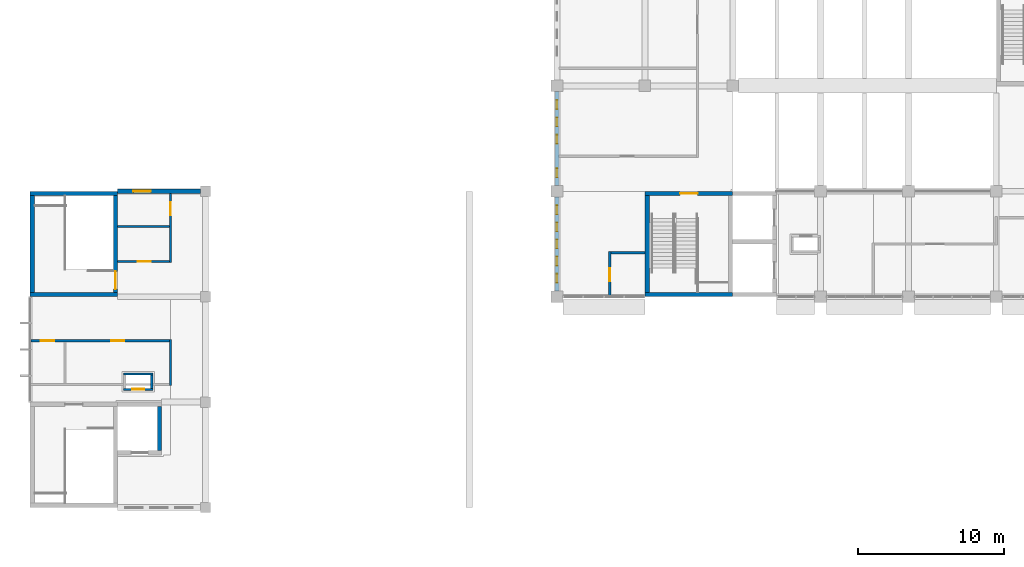
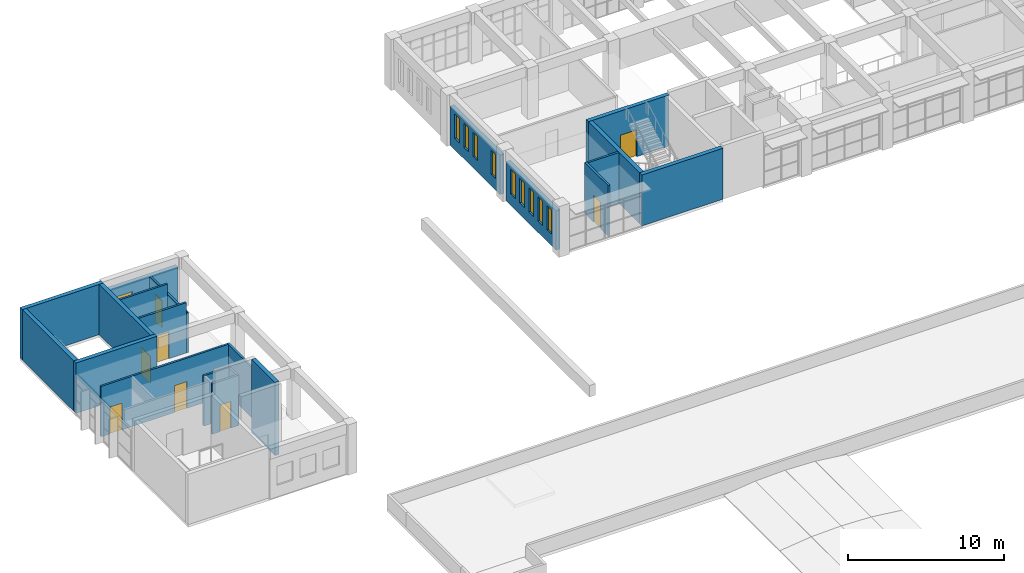
# One storey, part 31 of 47: 21 walls, 10 windows, 8 doors, 18 openings.
"""IFC4 building model written with IfcOpenShell, lengths in metres."""

from ifc_helpers import new_model, si_unit, direction, frame, frame_2d, origin, place, context, subcontext, project, spatial, rectangle, extrude, material, layer, layer_set, type_object, element, fill, save


model = new_model("IFC4")

# Units and contexts
model_context = context("Model", 3, precision=1e-05, world=origin(), true_north=direction((0.0, 1.0)))
body_context = subcontext(model_context, "Body", "Model", "MODEL_VIEW")
ifc_project = project(units=[si_unit("LENGTHUNIT", "METRE"), si_unit("AREAUNIT", "SQUARE_METRE"), si_unit("VOLUMEUNIT", "CUBIC_METRE"), si_unit("PLANEANGLEUNIT", "RADIAN"), si_unit("MASSUNIT", "GRAM", prefix="KILO")], contexts=[model_context])

# Site, building, storey
site_placement = place(None, origin())
site = spatial("IfcSite", under=ifc_project, at=site_placement, CompositionType="ELEMENT")
building_placement = place(site_placement, origin())
building = spatial("IfcBuilding", under=site, at=building_placement, Name="Laocheng Heights Fire and Rescue Headquarters", CompositionType="ELEMENT")
storey_placement = place(building_placement, frame((0.0, 0.0, 16.800048828125)))
storey = spatial("IfcBuildingStorey", under=building, at=storey_placement, Name="L04", CompositionType="ELEMENT", Elevation=16.800048828125)

# Wall, opening, door
ifc_material_1 = material(Name="Gypsum plaster")
ifc_layer_1 = layer(ifc_material_1, 0.010009765625, Name="PLASTER", Category="plaster")
ifc_material_2 = material(Name="Concrete blockwork MU10", Category="masonry")
ifc_layer_2 = layer(ifc_material_2, 0.1298828125, Name="BLOCKWORK", Category="masonry")
ifc_layer_3 = layer(ifc_material_1, 0.010009765625, Name="PLASTER", Category="plaster")
ifc_layer_set_1 = layer_set([ifc_layer_1, ifc_layer_2, ifc_layer_3], Name="Concrete blockwork MU10")
wall_type_1 = type_object("IfcWallType", Name="BLOCKWORK CORRIDOR WALL 150 EI 60 HQ WING", PredefinedType="PARTITIONING", material=ifc_layer_set_1)
wall_1_placement = place(storey_placement, frame((39.60009765625, 50.47509765625, 0.0), z_axis=(0.0, 0.0, 1.0), x_axis=(0.0, 1.0, 0.0)))
wall_1 = element("IfcWall", 1, at=wall_1_placement, inside=storey, type_object=wall_type_1, Name="Partition L04-001", PredefinedType="PARTITIONING", context=body_context, shape_type="SweptSolid", body=[
    extrude(rectangle(XDim=3.0, YDim=0.14990234375, at=frame_2d((1.5, 0.0))), origin(), (0.0, 0.0, 1.0), 4.0),
])
opening_1_placement = place(wall_1_placement, frame((0.97509765625, 0.0, 0.0)))
opening_1 = element("IfcOpeningElement", 2, at=opening_1_placement, cuts=wall_1, Name="Opening L04-Y01", PredefinedType="OPENING", context=body_context, shape_type="SweptSolid", body=[
    extrude(rectangle(XDim=0.89990234375, YDim=2.10009765625, at=frame_2d((0.449951171875, 1.050048828125))), frame((0.0, 0.0849609375, 0.0), z_axis=(0.0, -1.0, 0.0), x_axis=(1.0, 0.0, 0.0)), (0.0, 0.0, 1.0), 0.169921875),
])
ifc_material_3 = material(Name="Timber door leaf, veneered", Category="wood")
door_type_1 = type_object("IfcDoorType", Name="TIMBER DOOR 900x2100 EI 30 HQ WING", OperationType="SINGLE_SWING_LEFT", PredefinedType="DOOR", material=ifc_material_3)
door_1_placement = place(opening_1_placement, frame((0.89990234375, 0.0, 0.0), z_axis=(0.0, 0.0, 1.0), x_axis=(-1.0, 0.0, 0.0)))
door_1 = element("IfcDoor", 3, at=door_1_placement, inside=storey, type_object=door_type_1, Name="Door L04-Y01", OperationType="SINGLE_SWING_LEFT", OverallHeight=2.10009765625, OverallWidth=0.89990234375, PredefinedType="DOOR", context=body_context, shape_type="SweptSolid", body=[
    extrude(rectangle(XDim=0.89990234375, YDim=2.10009765625, at=frame_2d((0.449951171875, 1.050048828125))), frame((0.0, 0.02490234375, 0.0), z_axis=(0.0, -1.0, 0.0), x_axis=(1.0, 0.0, 0.0)), (0.0, 0.0, 1.0), 0.050048828125),
])
fill(opening_1, door_1)

# Walls
wall_2_placement = place(storey_placement, frame((39.675048828125, 53.39990234375, 0.0), z_axis=(0.0, 0.0, 1.0), x_axis=(1.0, 0.0, 0.0)))
element("IfcWall", 4, at=wall_2_placement, inside=storey, type_object=wall_type_1, Name="Partition L04-009", PredefinedType="PARTITIONING", context=body_context, shape_type="SweptSolid", body=[
    extrude(rectangle(XDim=2.324951171875, YDim=0.14990234375, at=frame_2d((1.16259765625, 0.0))), origin(), (0.0, 0.0, 1.0), 4.0),
])
ifc_material_4 = material(Name="Gypsum plaster")
ifc_layer_4 = layer(ifc_material_4, 0.010009765625, Name="PLASTER", Category="plaster")
ifc_material_5 = material(Name="Concrete blockwork MU10", Category="masonry")
ifc_layer_5 = layer(ifc_material_5, 0.1298828125, Name="BLOCKWORK", Category="masonry")
ifc_layer_6 = layer(ifc_material_4, 0.010009765625, Name="PLASTER", Category="plaster")
ifc_layer_set_2 = layer_set([ifc_layer_4, ifc_layer_5, ifc_layer_6], Name="Concrete blockwork MU10")
wall_type_2 = type_object("IfcWallType", Name="BLOCKWORK CORRIDOR WALL 150 EI 60 PAVILION", PredefinedType="PARTITIONING", material=ifc_layer_set_2)
wall_3_placement = place(storey_placement, frame((9.60009765625, 44.324951171875, 0.0), z_axis=(0.0, 0.0, 1.0), x_axis=(0.0, 1.0, 0.0)))
element("IfcWall", 5, at=wall_3_placement, inside=storey, type_object=wall_type_2, Name="Partition L04-002", PredefinedType="PARTITIONING", context=body_context, shape_type="SweptSolid", body=[
    extrude(rectangle(XDim=3.150146484375, YDim=0.14990234375, at=frame_2d((1.5751953125, 0.0))), origin(), (0.0, 0.0, 1.0), 3.949951171875),
])

# Wall, opening, door
wall_4_placement = place(storey_placement, frame((9.60009765625, 52.72509765625, 0.0), z_axis=(0.0, 0.0, 1.0), x_axis=(0.0, 1.0, 0.0)))
wall_4 = element("IfcWall", 6, at=wall_4_placement, inside=storey, type_object=wall_type_2, Name="Partition L04-003", PredefinedType="PARTITIONING", context=body_context, shape_type="SweptSolid", body=[
    extrude(rectangle(XDim=4.724853515625, YDim=0.14990234375, at=frame_2d((2.3623046875, 0.0))), origin(), (0.0, 0.0, 1.0), 3.14990234375),
])
opening_2_placement = place(wall_4_placement, frame((3.22509765625, 0.0, 0.0)))
opening_2 = element("IfcOpeningElement", 7, at=opening_2_placement, cuts=wall_4, Name="Opening L04-P01", PredefinedType="OPENING", context=body_context, shape_type="SweptSolid", body=[
    extrude(rectangle(XDim=0.89990234375, YDim=2.10009765625, at=frame_2d((0.449951171875, 1.050048828125))), frame((0.0, 0.0849609375, 0.0), z_axis=(0.0, -1.0, 0.0), x_axis=(1.0, 0.0, 0.0)), (0.0, 0.0, 1.0), 0.169921875),
])
ifc_material_6 = material(Name="Timber door leaf, veneered", Category="wood")
door_type_2 = type_object("IfcDoorType", Name="TIMBER DOOR 900x2100 EI 30 PAVILION", OperationType="SINGLE_SWING_LEFT", PredefinedType="DOOR", material=ifc_material_6)
door_2_placement = place(opening_2_placement, frame((0.89990234375, 0.0, 0.0), z_axis=(0.0, 0.0, 1.0), x_axis=(-1.0, 0.0, 0.0)))
door_2 = element("IfcDoor", 8, at=door_2_placement, inside=storey, type_object=door_type_2, Name="Door L04-P01", OperationType="SINGLE_SWING_LEFT", OverallHeight=2.10009765625, OverallWidth=0.89990234375, PredefinedType="DOOR", context=body_context, shape_type="SweptSolid", body=[
    extrude(rectangle(XDim=0.89990234375, YDim=2.10009765625, at=frame_2d((0.449951171875, 1.050048828125))), frame((0.0, 0.02490234375, 0.0), z_axis=(0.0, -1.0, 0.0), x_axis=(1.0, 0.0, 0.0)), (0.0, 0.0, 1.0), 0.050048828125),
])
fill(opening_2, door_2)

# Wall, openings, doors
wall_5_placement = place(storey_placement, frame((0.074951171875, 47.39990234375, 0.0), z_axis=(0.0, 0.0, 1.0), x_axis=(1.0, 0.0, 0.0)))
wall_5 = element("IfcWall", 9, at=wall_5_placement, inside=storey, type_object=wall_type_2, Name="Partition L04-005", PredefinedType="PARTITIONING", context=body_context, shape_type="SweptSolid", body=[
    extrude(rectangle(XDim=9.449951171875, YDim=0.14990234375, at=frame_2d((4.72509765625, 0.0))), origin(), (0.0, 0.0, 1.0), 3.949951171875),
])
opening_3_placement = place(wall_5_placement, frame((0.675048828125, 0.0, 0.0)))
opening_3 = element("IfcOpeningElement", 10, at=opening_3_placement, cuts=wall_5, Name="Opening L04-P02", PredefinedType="OPENING", context=body_context, shape_type="SweptSolid", body=[
    extrude(rectangle(XDim=0.89990234375, YDim=2.10009765625, at=frame_2d((0.449951171875, 1.050048828125))), frame((0.0, 0.0849609375, 0.0), z_axis=(0.0, -1.0, 0.0), x_axis=(1.0, 0.0, 0.0)), (0.0, 0.0, 1.0), 0.169921875),
])
opening_4_placement = place(wall_5_placement, frame((5.47509765625, 0.0, 0.0)))
opening_4 = element("IfcOpeningElement", 11, at=opening_4_placement, cuts=wall_5, Name="Opening L04-P03", PredefinedType="OPENING", context=body_context, shape_type="SweptSolid", body=[
    extrude(rectangle(XDim=0.89990234375, YDim=2.10009765625, at=frame_2d((0.449951171875, 1.050048828125))), frame((0.0, 0.0849609375, 0.0), z_axis=(0.0, -1.0, 0.0), x_axis=(1.0, 0.0, 0.0)), (0.0, 0.0, 1.0), 0.169921875),
])
door_3_placement = place(opening_3_placement, frame((0.89990234375, 0.0, 0.0), z_axis=(0.0, 0.0, 1.0), x_axis=(-1.0, 0.0, 0.0)))
door_3 = element("IfcDoor", 12, at=door_3_placement, inside=storey, type_object=door_type_2, Name="Door L04-P02", OperationType="SINGLE_SWING_LEFT", OverallHeight=2.10009765625, OverallWidth=0.89990234375, PredefinedType="DOOR", context=body_context, shape_type="SweptSolid", body=[
    extrude(rectangle(XDim=0.89990234375, YDim=2.10009765625, at=frame_2d((0.449951171875, 1.050048828125))), frame((0.0, 0.02490234375, 0.0), z_axis=(0.0, -1.0, 0.0), x_axis=(1.0, 0.0, 0.0)), (0.0, 0.0, 1.0), 0.050048828125),
])
fill(opening_3, door_3)
door_4_placement = place(opening_4_placement, frame((0.89990234375, 0.0, 0.0), z_axis=(0.0, 0.0, 1.0), x_axis=(-1.0, 0.0, 0.0)))
door_4 = element("IfcDoor", 13, at=door_4_placement, inside=storey, type_object=door_type_2, Name="Door L04-P03", OperationType="SINGLE_SWING_RIGHT", OverallHeight=2.10009765625, OverallWidth=0.89990234375, PredefinedType="DOOR", context=body_context, shape_type="SweptSolid", body=[
    extrude(rectangle(XDim=0.89990234375, YDim=2.10009765625, at=frame_2d((0.449951171875, 1.050048828125))), frame((0.0, 0.02490234375, 0.0), z_axis=(0.0, -1.0, 0.0), x_axis=(1.0, 0.0, 0.0)), (0.0, 0.0, 1.0), 0.050048828125),
])
fill(opening_4, door_4)

# Wall, opening, door
wall_6_placement = place(storey_placement, frame((6.0, 52.800048828125, 0.0), z_axis=(0.0, 0.0, 1.0), x_axis=(1.0, 0.0, 0.0)))
wall_6 = element("IfcWall", 14, at=wall_6_placement, inside=storey, type_object=wall_type_2, Name="Partition L04-006", PredefinedType="PARTITIONING", context=body_context, shape_type="SweptSolid", body=[
    extrude(rectangle(XDim=3.52490234375, YDim=0.14990234375, at=frame_2d((1.762451171875, 0.0))), origin(), (0.0, 0.0, 1.0), 3.949951171875),
])
opening_5_placement = place(wall_6_placement, frame((1.35009765625, 0.0, 0.0)))
opening_5 = element("IfcOpeningElement", 15, at=opening_5_placement, cuts=wall_6, Name="Opening L04-P04", PredefinedType="OPENING", context=body_context, shape_type="SweptSolid", body=[
    extrude(rectangle(XDim=0.89990234375, YDim=2.10009765625, at=frame_2d((0.449951171875, 1.050048828125))), frame((0.0, 0.0849609375, 0.0), z_axis=(0.0, -1.0, 0.0), x_axis=(1.0, 0.0, 0.0)), (0.0, 0.0, 1.0), 0.169921875),
])
door_5_placement = place(opening_5_placement, frame((0.89990234375, 0.0, 0.0), z_axis=(0.0, 0.0, 1.0), x_axis=(-1.0, 0.0, 0.0)))
door_5 = element("IfcDoor", 16, at=door_5_placement, inside=storey, type_object=door_type_2, Name="Door L04-P04", OperationType="SINGLE_SWING_RIGHT", OverallHeight=2.10009765625, OverallWidth=0.89990234375, PredefinedType="DOOR", context=body_context, shape_type="SweptSolid", body=[
    extrude(rectangle(XDim=0.89990234375, YDim=2.10009765625, at=frame_2d((0.449951171875, 1.050048828125))), frame((0.0, 0.02490234375, 0.0), z_axis=(0.0, -1.0, 0.0), x_axis=(1.0, 0.0, 0.0)), (0.0, 0.0, 1.0), 0.050048828125),
])
fill(opening_5, door_5)

# Wall
wall_7_placement = place(storey_placement, frame((6.0, 55.199951171875, 0.0), z_axis=(0.0, 0.0, 1.0), x_axis=(1.0, 0.0, 0.0)))
element("IfcWall", 17, at=wall_7_placement, inside=storey, type_object=wall_type_2, Name="Partition L04-007", PredefinedType="PARTITIONING", context=body_context, shape_type="SweptSolid", body=[
    extrude(rectangle(XDim=3.52490234375, YDim=0.14990234375, at=frame_2d((1.762451171875, 0.0))), origin(), (0.0, 0.0, 1.0), 3.949951171875),
])

# Wall, openings, windows
ifc_material_7 = material(Name="Precast concrete C40/50", Category="concrete")
ifc_layer_7 = layer(ifc_material_7, 0.300048828125)
ifc_layer_set_3 = layer_set([ifc_layer_7], Name="Precast concrete C40/50")
wall_type_3 = type_object("IfcWallType", Name="PRECAST WALL PANEL 300", PredefinedType="SOLIDWALL", material=ifc_layer_set_3)
wall_8_placement = place(storey_placement, frame((36.0, 50.800048828125, 0.0), z_axis=(0.0, 0.0, 1.0), x_axis=(0.0, 1.0, 0.0)))
wall_8 = element("IfcWall", 18, at=wall_8_placement, inside=storey, type_object=wall_type_3, Name="PRECAST WALL PANEL HQ WEST L04", PredefinedType="SOLIDWALL", context=body_context, shape_type="SweptSolid", body=[
    extrude(rectangle(XDim=6.39990234375, YDim=0.300048828125, at=frame_2d((3.199951171875, 0.0))), origin(), (0.0, 0.0, 1.0), 3.099853515625),
])
opening_6_placement = place(wall_8_placement, frame((0.566650390625, 0.0, 0.89990234375)))
opening_6 = element("IfcOpeningElement", 19, at=opening_6_placement, cuts=wall_8, Name="Opening N1-X", PredefinedType="OPENING", context=body_context, shape_type="SweptSolid", body=[
    extrude(rectangle(XDim=0.60009765625, YDim=1.89990234375, at=frame_2d((0.300048828125, 0.949951171875))), frame((0.0, 0.159912109375, 0.0), z_axis=(0.0, -1.0, 0.0), x_axis=(1.0, 0.0, 0.0)), (0.0, 0.0, 1.0), 0.320068359375),
])
opening_7_placement = place(wall_8_placement, frame((1.7333984375, 0.0, 0.89990234375)))
opening_7 = element("IfcOpeningElement", 20, at=opening_7_placement, cuts=wall_8, Name="Opening N1-X", PredefinedType="OPENING", context=body_context, shape_type="SweptSolid", body=[
    extrude(rectangle(XDim=0.60009765625, YDim=1.89990234375, at=frame_2d((0.300048828125, 0.949951171875))), frame((0.0, 0.159912109375, 0.0), z_axis=(0.0, -1.0, 0.0), x_axis=(1.0, 0.0, 0.0)), (0.0, 0.0, 1.0), 0.320068359375),
])
opening_8_placement = place(wall_8_placement, frame((2.89990234375, 0.0, 0.89990234375)))
opening_8 = element("IfcOpeningElement", 21, at=opening_8_placement, cuts=wall_8, Name="Opening N1-X", PredefinedType="OPENING", context=body_context, shape_type="SweptSolid", body=[
    extrude(rectangle(XDim=0.60009765625, YDim=1.89990234375, at=frame_2d((0.300048828125, 0.949951171875))), frame((0.0, 0.159912109375, 0.0), z_axis=(0.0, -1.0, 0.0), x_axis=(1.0, 0.0, 0.0)), (0.0, 0.0, 1.0), 0.320068359375),
])
opening_9_placement = place(wall_8_placement, frame((4.066650390625, 0.0, 0.89990234375)))
opening_9 = element("IfcOpeningElement", 22, at=opening_9_placement, cuts=wall_8, Name="Opening N1-X", PredefinedType="OPENING", context=body_context, shape_type="SweptSolid", body=[
    extrude(rectangle(XDim=0.60009765625, YDim=1.89990234375, at=frame_2d((0.300048828125, 0.949951171875))), frame((0.0, 0.159912109375, 0.0), z_axis=(0.0, -1.0, 0.0), x_axis=(1.0, 0.0, 0.0)), (0.0, 0.0, 1.0), 0.320068359375),
])
opening_10_placement = place(wall_8_placement, frame((5.2333984375, 0.0, 0.89990234375)))
opening_10 = element("IfcOpeningElement", 23, at=opening_10_placement, cuts=wall_8, Name="Opening N1-X", PredefinedType="OPENING", context=body_context, shape_type="SweptSolid", body=[
    extrude(rectangle(XDim=0.60009765625, YDim=1.89990234375, at=frame_2d((0.300048828125, 0.949951171875))), frame((0.0, 0.159912109375, 0.0), z_axis=(0.0, -1.0, 0.0), x_axis=(1.0, 0.0, 0.0)), (0.0, 0.0, 1.0), 0.320068359375),
])
ifc_material_8 = material(Name="Low-e double glazing in aluminium frame", Category="aluminium")
window_type_1 = type_object("IfcWindowType", Name="WINDOW 600 x 1900 HQ END SLOT", PartitioningType="SINGLE_PANEL", PredefinedType="WINDOW", material=ifc_material_8)
window_1_placement = place(opening_6_placement, origin())
window_1 = element("IfcWindow", 24, at=window_1_placement, inside=storey, type_object=window_type_1, Name="HQ END SLOT HQ WEST L04", OverallHeight=1.89990234375, OverallWidth=0.60009765625, PartitioningType="SINGLE_PANEL", PredefinedType="WINDOW", context=body_context, shape_type="SweptSolid", body=[
    extrude(rectangle(XDim=0.60009765625, YDim=1.89990234375, at=frame_2d((0.300048828125, 0.949951171875))), frame((0.0, 0.030029296875, 0.0), z_axis=(0.0, -1.0, 0.0), x_axis=(1.0, 0.0, 0.0)), (0.0, 0.0, 1.0), 0.06005859375),
])
fill(opening_6, window_1)
window_2_placement = place(opening_7_placement, origin())
window_2 = element("IfcWindow", 25, at=window_2_placement, inside=storey, type_object=window_type_1, Name="HQ END SLOT HQ WEST L04", OverallHeight=1.89990234375, OverallWidth=0.60009765625, PartitioningType="SINGLE_PANEL", PredefinedType="WINDOW", context=body_context, shape_type="SweptSolid", body=[
    extrude(rectangle(XDim=0.60009765625, YDim=1.89990234375, at=frame_2d((0.300048828125, 0.949951171875))), frame((0.0, 0.030029296875, 0.0), z_axis=(0.0, -1.0, 0.0), x_axis=(1.0, 0.0, 0.0)), (0.0, 0.0, 1.0), 0.06005859375),
])
fill(opening_7, window_2)
window_3_placement = place(opening_8_placement, origin())
window_3 = element("IfcWindow", 26, at=window_3_placement, inside=storey, type_object=window_type_1, Name="HQ END SLOT HQ WEST L04", OverallHeight=1.89990234375, OverallWidth=0.60009765625, PartitioningType="SINGLE_PANEL", PredefinedType="WINDOW", context=body_context, shape_type="SweptSolid", body=[
    extrude(rectangle(XDim=0.60009765625, YDim=1.89990234375, at=frame_2d((0.300048828125, 0.949951171875))), frame((0.0, 0.030029296875, 0.0), z_axis=(0.0, -1.0, 0.0), x_axis=(1.0, 0.0, 0.0)), (0.0, 0.0, 1.0), 0.06005859375),
])
fill(opening_8, window_3)
window_4_placement = place(opening_9_placement, origin())
window_4 = element("IfcWindow", 27, at=window_4_placement, inside=storey, type_object=window_type_1, Name="HQ END SLOT HQ WEST L04", OverallHeight=1.89990234375, OverallWidth=0.60009765625, PartitioningType="SINGLE_PANEL", PredefinedType="WINDOW", context=body_context, shape_type="SweptSolid", body=[
    extrude(rectangle(XDim=0.60009765625, YDim=1.89990234375, at=frame_2d((0.300048828125, 0.949951171875))), frame((0.0, 0.030029296875, 0.0), z_axis=(0.0, -1.0, 0.0), x_axis=(1.0, 0.0, 0.0)), (0.0, 0.0, 1.0), 0.06005859375),
])
fill(opening_9, window_4)
window_5_placement = place(opening_10_placement, origin())
window_5 = element("IfcWindow", 28, at=window_5_placement, inside=storey, type_object=window_type_1, Name="HQ END SLOT HQ WEST L04", OverallHeight=1.89990234375, OverallWidth=0.60009765625, PartitioningType="SINGLE_PANEL", PredefinedType="WINDOW", context=body_context, shape_type="SweptSolid", body=[
    extrude(rectangle(XDim=0.60009765625, YDim=1.89990234375, at=frame_2d((0.300048828125, 0.949951171875))), frame((0.0, 0.030029296875, 0.0), z_axis=(0.0, -1.0, 0.0), x_axis=(1.0, 0.0, 0.0)), (0.0, 0.0, 1.0), 0.06005859375),
])
fill(opening_10, window_5)

wall_9_placement = place(storey_placement, frame((36.0, 58.0, 0.0), z_axis=(0.0, 0.0, 1.0), x_axis=(0.0, 1.0, 0.0)))
wall_9 = element("IfcWall", 29, at=wall_9_placement, inside=storey, type_object=wall_type_3, Name="PRECAST WALL PANEL HQ WEST L04", PredefinedType="SOLIDWALL", context=body_context, shape_type="SweptSolid", body=[
    extrude(rectangle(XDim=6.39990234375, YDim=0.300048828125, at=frame_2d((3.199951171875, 0.0))), origin(), (0.0, 0.0, 1.0), 3.099853515625),
])
opening_11_placement = place(wall_9_placement, frame((0.56005859375, 0.0, 0.89990234375)))
opening_11 = element("IfcOpeningElement", 30, at=opening_11_placement, cuts=wall_9, Name="Opening N1-X", PredefinedType="OPENING", context=body_context, shape_type="SweptSolid", body=[
    extrude(rectangle(XDim=0.60009765625, YDim=1.89990234375, at=frame_2d((0.300048828125, 0.949951171875))), frame((0.0, 0.159912109375, 0.0), z_axis=(0.0, -1.0, 0.0), x_axis=(1.0, 0.0, 0.0)), (0.0, 0.0, 1.0), 0.320068359375),
])
opening_12_placement = place(wall_9_placement, frame((2.860107421875, 0.0, 0.89990234375)))
opening_12 = element("IfcOpeningElement", 31, at=opening_12_placement, cuts=wall_9, Name="Opening N1-X", PredefinedType="OPENING", context=body_context, shape_type="SweptSolid", body=[
    extrude(rectangle(XDim=0.60009765625, YDim=1.89990234375, at=frame_2d((0.300048828125, 0.949951171875))), frame((0.0, 0.159912109375, 0.0), z_axis=(0.0, -1.0, 0.0), x_axis=(1.0, 0.0, 0.0)), (0.0, 0.0, 1.0), 0.320068359375),
])
opening_13_placement = place(wall_9_placement, frame((4.0400390625, 0.0, 0.89990234375)))
opening_13 = element("IfcOpeningElement", 32, at=opening_13_placement, cuts=wall_9, Name="Opening N1-X", PredefinedType="OPENING", context=body_context, shape_type="SweptSolid", body=[
    extrude(rectangle(XDim=0.60009765625, YDim=1.89990234375, at=frame_2d((0.300048828125, 0.949951171875))), frame((0.0, 0.159912109375, 0.0), z_axis=(0.0, -1.0, 0.0), x_axis=(1.0, 0.0, 0.0)), (0.0, 0.0, 1.0), 0.320068359375),
])
opening_14_placement = place(wall_9_placement, frame((5.219970703125, 0.0, 0.89990234375)))
opening_14 = element("IfcOpeningElement", 33, at=opening_14_placement, cuts=wall_9, Name="Opening N1-X", PredefinedType="OPENING", context=body_context, shape_type="SweptSolid", body=[
    extrude(rectangle(XDim=0.60009765625, YDim=1.89990234375, at=frame_2d((0.300048828125, 0.949951171875))), frame((0.0, 0.159912109375, 0.0), z_axis=(0.0, -1.0, 0.0), x_axis=(1.0, 0.0, 0.0)), (0.0, 0.0, 1.0), 0.320068359375),
])
window_6_placement = place(opening_11_placement, origin())
window_6 = element("IfcWindow", 34, at=window_6_placement, inside=storey, type_object=window_type_1, Name="HQ END SLOT HQ WEST L04", OverallHeight=1.89990234375, OverallWidth=0.60009765625, PartitioningType="SINGLE_PANEL", PredefinedType="WINDOW", context=body_context, shape_type="SweptSolid", body=[
    extrude(rectangle(XDim=0.60009765625, YDim=1.89990234375, at=frame_2d((0.300048828125, 0.949951171875))), frame((0.0, 0.030029296875, 0.0), z_axis=(0.0, -1.0, 0.0), x_axis=(1.0, 0.0, 0.0)), (0.0, 0.0, 1.0), 0.06005859375),
])
fill(opening_11, window_6)
window_7_placement = place(opening_12_placement, origin())
window_7 = element("IfcWindow", 35, at=window_7_placement, inside=storey, type_object=window_type_1, Name="HQ END SLOT HQ WEST L04", OverallHeight=1.89990234375, OverallWidth=0.60009765625, PartitioningType="SINGLE_PANEL", PredefinedType="WINDOW", context=body_context, shape_type="SweptSolid", body=[
    extrude(rectangle(XDim=0.60009765625, YDim=1.89990234375, at=frame_2d((0.300048828125, 0.949951171875))), frame((0.0, 0.030029296875, 0.0), z_axis=(0.0, -1.0, 0.0), x_axis=(1.0, 0.0, 0.0)), (0.0, 0.0, 1.0), 0.06005859375),
])
fill(opening_12, window_7)
window_8_placement = place(opening_13_placement, origin())
window_8 = element("IfcWindow", 36, at=window_8_placement, inside=storey, type_object=window_type_1, Name="HQ END SLOT HQ WEST L04", OverallHeight=1.89990234375, OverallWidth=0.60009765625, PartitioningType="SINGLE_PANEL", PredefinedType="WINDOW", context=body_context, shape_type="SweptSolid", body=[
    extrude(rectangle(XDim=0.60009765625, YDim=1.89990234375, at=frame_2d((0.300048828125, 0.949951171875))), frame((0.0, 0.030029296875, 0.0), z_axis=(0.0, -1.0, 0.0), x_axis=(1.0, 0.0, 0.0)), (0.0, 0.0, 1.0), 0.06005859375),
])
fill(opening_13, window_8)
window_9_placement = place(opening_14_placement, origin())
window_9 = element("IfcWindow", 37, at=window_9_placement, inside=storey, type_object=window_type_1, Name="HQ END SLOT HQ WEST L04", OverallHeight=1.89990234375, OverallWidth=0.60009765625, PartitioningType="SINGLE_PANEL", PredefinedType="WINDOW", context=body_context, shape_type="SweptSolid", body=[
    extrude(rectangle(XDim=0.60009765625, YDim=1.89990234375, at=frame_2d((0.300048828125, 0.949951171875))), frame((0.0, 0.030029296875, 0.0), z_axis=(0.0, -1.0, 0.0), x_axis=(1.0, 0.0, 0.0)), (0.0, 0.0, 1.0), 0.06005859375),
])
fill(opening_14, window_9)

# Wall, opening, window
ifc_material_9 = material(Name="Precast concrete C40/50", Category="concrete")
ifc_layer_8 = layer(ifc_material_9, 0.300048828125)
ifc_layer_set_4 = layer_set([ifc_layer_8], Name="Precast concrete C40/50")
wall_type_4 = type_object("IfcWallType", Name="PRECAST WALL PANEL FOYER 300", PredefinedType="SOLIDWALL", material=ifc_layer_set_4)
wall_10_placement = place(storey_placement, frame((6.0, 57.60009765625, 0.0), z_axis=(0.0, 0.0, 1.0), x_axis=(1.0, 0.0, 0.0)))
wall_10 = element("IfcWall", 38, at=wall_10_placement, inside=storey, type_object=wall_type_4, Name="PRECAST WALL PANEL FOYER FOYER NORTH L04", PredefinedType="SOLIDWALL", context=body_context, shape_type="SweptSolid", body=[
    extrude(rectangle(XDim=5.64990234375, YDim=0.300048828125, at=frame_2d((2.824951171875, 0.0))), origin(), (0.0, 0.0, 1.0), 3.14990234375),
])
opening_15_placement = place(wall_10_placement, frame((1.06494140625, 0.0, 0.89990234375)))
opening_15 = element("IfcOpeningElement", 39, at=opening_15_placement, cuts=wall_10, Name="Opening N1-V", PredefinedType="OPENING", context=body_context, shape_type="SweptSolid", body=[
    extrude(rectangle(XDim=1.199951171875, YDim=1.5, at=frame_2d((0.60009765625, 0.75))), frame((0.0, 0.159912109375, 0.0), z_axis=(0.0, -1.0, 0.0), x_axis=(1.0, 0.0, 0.0)), (0.0, 0.0, 1.0), 0.320068359375),
])
ifc_material_10 = material(Name="Low-e double glazing in aluminium frame", Category="aluminium")
window_type_2 = type_object("IfcWindowType", Name="WINDOW 1200 x 1500 FOYER ALUMINIUM", PartitioningType="SINGLE_PANEL", PredefinedType="WINDOW", material=ifc_material_10)
window_10_placement = place(opening_15_placement, origin())
window_10 = element("IfcWindow", 40, at=window_10_placement, inside=storey, type_object=window_type_2, Name="FOYER ALUMINIUM FOYER NORTH L04", OverallHeight=1.5, OverallWidth=1.199951171875, PartitioningType="SINGLE_PANEL", PredefinedType="WINDOW", context=body_context, shape_type="SweptSolid", body=[
    extrude(rectangle(XDim=1.199951171875, YDim=1.5, at=frame_2d((0.60009765625, 0.75))), frame((0.0, 0.030029296875, 0.0), z_axis=(0.0, -1.0, 0.0), x_axis=(1.0, 0.0, 0.0)), (0.0, 0.0, 1.0), 0.06005859375),
])
fill(opening_15, window_10)

# Walls
ifc_material_11 = material(Name="Concrete C50", Category="concrete")
ifc_layer_9 = layer(ifc_material_11, 0.300048828125)
ifc_layer_set_5 = layer_set([ifc_layer_9], Name="Concrete C50")
wall_type_5 = type_object("IfcWallType", Name="RC LIFT SHAFT WALL 300", PredefinedType="SHEAR", material=ifc_layer_set_5)
wall_11_placement = place(storey_placement, frame((8.85009765625, 39.89990234375, 0.0), z_axis=(0.0, 0.0, 1.0), x_axis=(0.0, 1.0, 0.0)))
element("IfcWall", 41, at=wall_11_placement, inside=storey, type_object=wall_type_5, Name="Lift shaft wall", PredefinedType="SHEAR", context=body_context, shape_type="SweptSolid", body=[
    extrude(rectangle(XDim=3.0, YDim=0.300048828125, at=frame_2d((1.5, 0.0))), origin(), (0.0, 0.0, 1.0), 5.75),
])
ifc_material_12 = material(Name="Concrete C50", Category="concrete")
ifc_layer_10 = layer(ifc_material_12, 0.300048828125)
ifc_layer_set_6 = layer_set([ifc_layer_10], Name="Concrete C50")
wall_type_6 = type_object("IfcWallType", Name="RC STAIR ENCLOSURE WALL 300", PredefinedType="SHEAR", material=ifc_layer_set_6)
for number, where, z_axis, x_axis, name in (
    (42, (0.0, 50.550048828125, 0.0), (0.0, 0.0, 1.0), (1.0, 0.0, 0.0), "Stair enclosure wall"),
    (43, (0.0, 57.449951171875, 0.0), (0.0, 0.0, 1.0), (1.0, 0.0, 0.0), "Stair enclosure wall"),
):
    element("IfcWall", number, at=place(storey_placement, frame(where, z_axis=z_axis, x_axis=x_axis)), inside=storey, type_object=wall_type_6, Name=name, PredefinedType="SHEAR", context=body_context, shape_type="SweptSolid", body=[
        extrude(rectangle(XDim=6.0, YDim=0.300048828125, at=frame_2d((3.0, 0.0))), origin(), (0.0, 0.0, 1.0), 3.949951171875),
    ])
wall_12_placement = place(storey_placement, frame((0.14990234375, 50.699951171875, 0.0), z_axis=(0.0, 0.0, 1.0), x_axis=(0.0, 1.0, 0.0)))
element("IfcWall", 44, at=wall_12_placement, inside=storey, type_object=wall_type_6, Name="Stair enclosure wall", PredefinedType="SHEAR", context=body_context, shape_type="SweptSolid", body=[
    extrude(rectangle(XDim=6.60009765625, YDim=0.300048828125, at=frame_2d((3.300048828125, 0.0))), origin(), (0.0, 0.0, 1.0), 3.949951171875),
])

# Wall, opening, door
wall_13_placement = place(storey_placement, frame((5.85009765625, 50.699951171875, 0.0), z_axis=(0.0, 0.0, 1.0), x_axis=(0.0, 1.0, 0.0)))
wall_13 = element("IfcWall", 45, at=wall_13_placement, inside=storey, type_object=wall_type_6, Name="Stair enclosure wall", PredefinedType="SHEAR", context=body_context, shape_type="SweptSolid", body=[
    extrude(rectangle(XDim=6.60009765625, YDim=0.300048828125, at=frame_2d((3.300048828125, 0.0))), origin(), (0.0, 0.0, 1.0), 3.949951171875),
])
opening_16_placement = place(wall_13_placement, frame((0.22509765625, 0.0, 0.0)))
opening_16 = element("IfcOpeningElement", 46, at=opening_16_placement, cuts=wall_13, Name="Opening L04-K04", PredefinedType="OPENING", context=body_context, shape_type="SweptSolid", body=[
    extrude(rectangle(XDim=1.199951171875, YDim=2.10009765625, at=frame_2d((0.60009765625, 1.050048828125))), frame((0.0, 0.159912109375, 0.0), z_axis=(0.0, -1.0, 0.0), x_axis=(1.0, 0.0, 0.0)), (0.0, 0.0, 1.0), 0.320068359375),
])
ifc_material_13 = material(Name="Painted steel", Category="steel")
door_type_3 = type_object("IfcDoorType", Name="FIRE DOOR 1200x2100 EI 60", OperationType="SINGLE_SWING_LEFT", PredefinedType="DOOR", material=ifc_material_13)
door_6_placement = place(opening_16_placement, frame((1.199951171875, 0.0, 0.0), z_axis=(0.0, 0.0, 1.0), x_axis=(-1.0, 0.0, 0.0)))
door_6 = element("IfcDoor", 47, at=door_6_placement, inside=storey, type_object=door_type_3, Name="Stair P2 door", OperationType="SINGLE_SWING_LEFT", OverallHeight=2.10009765625, OverallWidth=1.199951171875, PredefinedType="DOOR", context=body_context, shape_type="SweptSolid", body=[
    extrude(rectangle(XDim=1.199951171875, YDim=2.10009765625, at=frame_2d((0.60009765625, 1.050048828125))), frame((0.0, 0.02490234375, 0.0), z_axis=(0.0, -1.0, 0.0), x_axis=(1.0, 0.0, 0.0)), (0.0, 0.0, 1.0), 0.050048828125),
])
fill(opening_16, door_6)

# Wall
wall_14_placement = place(storey_placement, frame((42.0, 50.550048828125, 0.0), z_axis=(0.0, 0.0, 1.0), x_axis=(1.0, 0.0, 0.0)))
element("IfcWall", 48, at=wall_14_placement, inside=storey, type_object=wall_type_6, Name="Stair enclosure wall", PredefinedType="SHEAR", context=body_context, shape_type="SweptSolid", body=[
    extrude(rectangle(XDim=6.0, YDim=0.300048828125, at=frame_2d((3.0, 0.0))), origin(), (0.0, 0.0, 1.0), 4.0),
])

# Wall, opening, door
wall_15_placement = place(storey_placement, frame((42.0, 57.449951171875, 0.0), z_axis=(0.0, 0.0, 1.0), x_axis=(1.0, 0.0, 0.0)))
wall_15 = element("IfcWall", 49, at=wall_15_placement, inside=storey, type_object=wall_type_6, Name="Stair enclosure wall", PredefinedType="SHEAR", context=body_context, shape_type="SweptSolid", body=[
    extrude(rectangle(XDim=6.0, YDim=0.300048828125, at=frame_2d((3.0, 0.0))), origin(), (0.0, 0.0, 1.0), 4.0),
])
opening_17_placement = place(wall_15_placement, frame((2.39990234375, 0.0, 0.0)))
opening_17 = element("IfcOpeningElement", 50, at=opening_17_placement, cuts=wall_15, Name="Opening L04-K09", PredefinedType="OPENING", context=body_context, shape_type="SweptSolid", body=[
    extrude(rectangle(XDim=1.199951171875, YDim=2.10009765625, at=frame_2d((0.60009765625, 1.050048828125))), frame((0.0, 0.159912109375, 0.0), z_axis=(0.0, -1.0, 0.0), x_axis=(1.0, 0.0, 0.0)), (0.0, 0.0, 1.0), 0.320068359375),
])
door_7_placement = place(opening_17_placement, frame((1.199951171875, 0.0, 0.0), z_axis=(0.0, 0.0, 1.0), x_axis=(-1.0, 0.0, 0.0)))
door_7 = element("IfcDoor", 51, at=door_7_placement, inside=storey, type_object=door_type_3, Name="Stair H1 door", OperationType="SINGLE_SWING_RIGHT", OverallHeight=2.10009765625, OverallWidth=1.199951171875, PredefinedType="DOOR", context=body_context, shape_type="SweptSolid", body=[
    extrude(rectangle(XDim=1.199951171875, YDim=2.10009765625, at=frame_2d((0.60009765625, 1.050048828125))), frame((0.0, 0.02490234375, 0.0), z_axis=(0.0, -1.0, 0.0), x_axis=(1.0, 0.0, 0.0)), (0.0, 0.0, 1.0), 0.050048828125),
])
fill(opening_17, door_7)

# Wall
wall_16_placement = place(storey_placement, frame((42.14990234375, 50.699951171875, 0.0), z_axis=(0.0, 0.0, 1.0), x_axis=(0.0, 1.0, 0.0)))
element("IfcWall", 52, at=wall_16_placement, inside=storey, type_object=wall_type_6, Name="Stair enclosure wall", PredefinedType="SHEAR", context=body_context, shape_type="SweptSolid", body=[
    extrude(rectangle(XDim=6.60009765625, YDim=0.300048828125, at=frame_2d((3.300048828125, 0.0))), origin(), (0.0, 0.0, 1.0), 4.0),
])

# Wall, opening, door
ifc_material_14 = material(Name="Concrete C30", Category="concrete")
ifc_layer_11 = layer(ifc_material_14, 0.14990234375)
ifc_layer_set_7 = layer_set([ifc_layer_11], Name="Concrete C30")
wall_type_7 = type_object("IfcWallType", Name="RISER SHAFT WALL 150", PredefinedType="SOLIDWALL", material=ifc_layer_set_7)
wall_17_placement = place(storey_placement, frame((6.39990234375, 44.074951171875, 0.0), z_axis=(0.0, 0.0, 1.0), x_axis=(1.0, 0.0, 0.0)))
wall_17 = element("IfcWall", 53, at=wall_17_placement, inside=storey, type_object=wall_type_7, Name="Riser shaft wall", PredefinedType="SOLIDWALL", context=body_context, shape_type="SweptSolid", body=[
    extrude(rectangle(XDim=2.0, YDim=0.14990234375, at=frame_2d((1.0, 0.0))), origin(), (0.0, 0.0, 1.0), 3.949951171875),
])
opening_18_placement = place(wall_17_placement, frame((0.60009765625, 0.0, 0.0)))
opening_18 = element("IfcOpeningElement", 54, at=opening_18_placement, cuts=wall_17, Name="Opening L04-K03", PredefinedType="OPENING", context=body_context, shape_type="SweptSolid", body=[
    extrude(rectangle(XDim=0.800048828125, YDim=2.10009765625, at=frame_2d((0.39990234375, 1.050048828125))), frame((0.0, 0.0849609375, 0.0), z_axis=(0.0, -1.0, 0.0), x_axis=(1.0, 0.0, 0.0)), (0.0, 0.0, 1.0), 0.169921875),
])
ifc_material_15 = material(Name="Painted steel", Category="steel")
door_type_4 = type_object("IfcDoorType", Name="RISER ACCESS DOOR 800x2100 EI 30", OperationType="SINGLE_SWING_LEFT", PredefinedType="DOOR", material=ifc_material_15)
door_8_placement = place(opening_18_placement, frame((0.800048828125, 0.0, 0.0), z_axis=(0.0, 0.0, 1.0), x_axis=(-1.0, 0.0, 0.0)))
door_8 = element("IfcDoor", 55, at=door_8_placement, inside=storey, type_object=door_type_4, Name="Riser RP1 access door", OperationType="SINGLE_SWING_RIGHT", OverallHeight=2.10009765625, OverallWidth=0.800048828125, PredefinedType="DOOR", context=body_context, shape_type="SweptSolid", body=[
    extrude(rectangle(XDim=0.800048828125, YDim=2.10009765625, at=frame_2d((0.39990234375, 1.050048828125))), frame((0.0, 0.02490234375, 0.0), z_axis=(0.0, -1.0, 0.0), x_axis=(1.0, 0.0, 0.0)), (0.0, 0.0, 1.0), 0.050048828125),
])
fill(opening_18, door_8)

# Walls
wall_18_placement = place(storey_placement, frame((6.39990234375, 45.125, 0.0), z_axis=(0.0, 0.0, 1.0), x_axis=(1.0, 0.0, 0.0)))
element("IfcWall", 56, at=wall_18_placement, inside=storey, type_object=wall_type_7, Name="Riser shaft wall", PredefinedType="SOLIDWALL", context=body_context, shape_type="SweptSolid", body=[
    extrude(rectangle(XDim=2.0, YDim=0.14990234375, at=frame_2d((1.0, 0.0))), origin(), (0.0, 0.0, 1.0), 3.949951171875),
])
wall_19_placement = place(storey_placement, frame((8.324951171875, 44.14990234375, 0.0), z_axis=(0.0, 0.0, 1.0), x_axis=(0.0, 1.0, 0.0)))
element("IfcWall", 57, at=wall_19_placement, inside=storey, type_object=wall_type_7, Name="Riser shaft wall", PredefinedType="SOLIDWALL", context=body_context, shape_type="SweptSolid", body=[
    extrude(rectangle(XDim=0.900146484375, YDim=0.14990234375, at=frame_2d((0.4501953125, 0.0))), origin(), (0.0, 0.0, 1.0), 3.949951171875),
])

save(model, "model.ifc")
